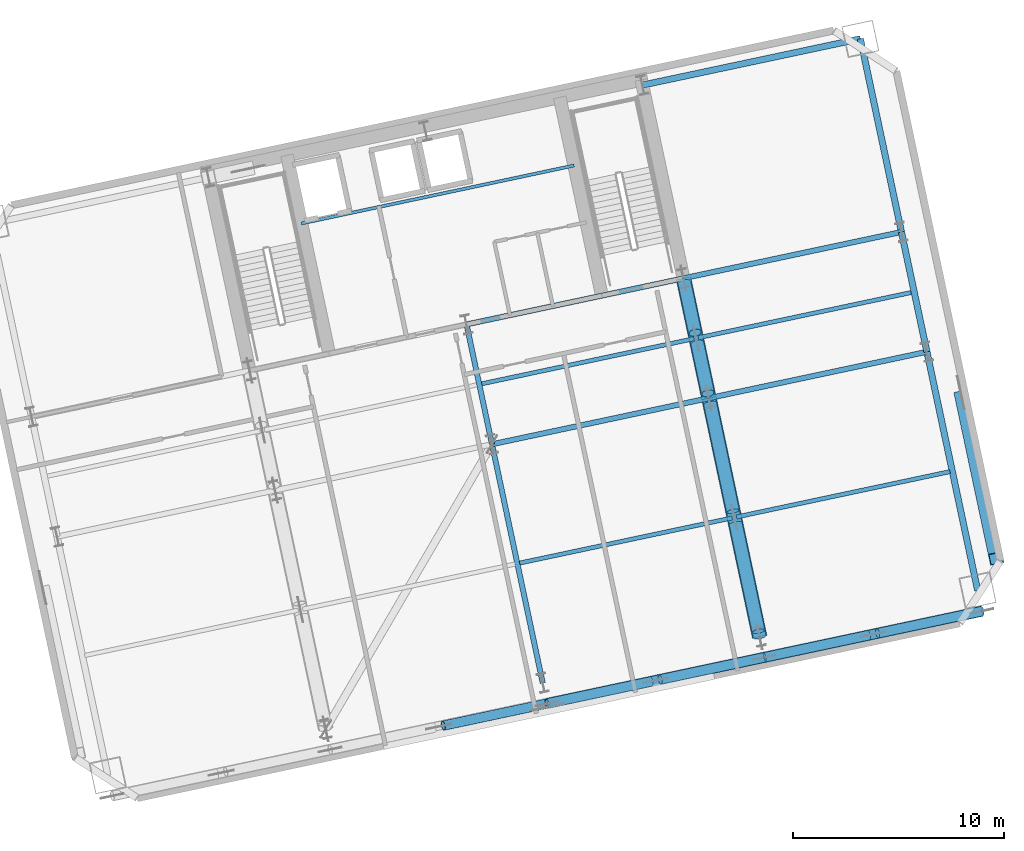
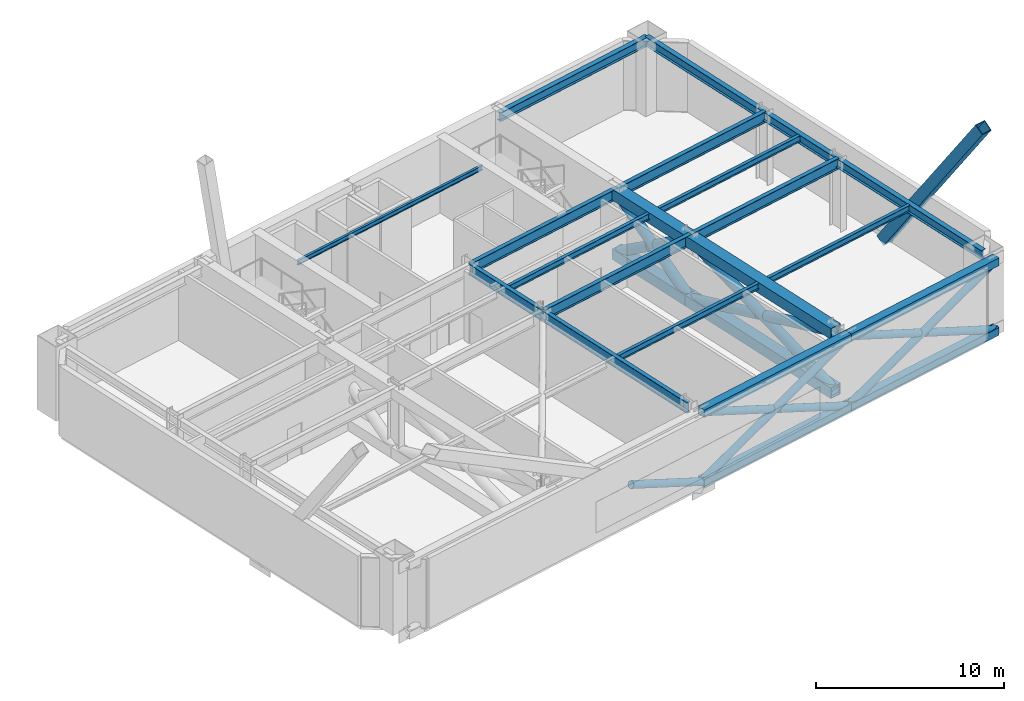
# One storey, part 5 of 17: 22 members, 15 beams.
"""IFC4 building model written with IfcOpenShell, lengths in metres."""

from ifc_helpers import new_model, si_unit, direction, frame, origin, origin_2d, place, context, subcontext, project, spatial, hollow_rectangle, hollow_circle, i_section, extrude, material, material_profile, profile_set, type_object, element, save


model = new_model("IFC4")

# Units and contexts
model_context = context("Model", 3, precision=1e-05, world=origin(), true_north=direction((0.0, 1.0)))
body_context = subcontext(model_context, "Body", "Model", "MODEL_VIEW")
ifc_project = project(units=[si_unit("LENGTHUNIT", "METRE"), si_unit("AREAUNIT", "SQUARE_METRE"), si_unit("VOLUMEUNIT", "CUBIC_METRE"), si_unit("PLANEANGLEUNIT", "RADIAN"), si_unit("MASSUNIT", "GRAM", prefix="KILO")], contexts=[model_context])

# Site, building, storey
site_placement = place(None, origin())
site = spatial("IfcSite", under=ifc_project, at=site_placement, CompositionType="ELEMENT")
building_placement = place(site_placement, origin())
building = spatial("IfcBuilding", under=site, at=building_placement, Name="Haevon Station Towers", CompositionType="ELEMENT")
storey_placement = place(building_placement, frame((0.0, 0.0, 81.89990234375)))
storey = spatial("IfcBuildingStorey", under=building, at=storey_placement, Name="L21", CompositionType="ELEMENT", Elevation=81.89990234375)

# Beams
ifc_material_1 = material(Name="Steel S355", Category="steel")
ifc_material_profile_1 = material_profile(ifc_material_1, i_section(OverallWidth=0.25, OverallDepth=0.699951171875, WebThickness=0.012939453125, FlangeThickness=0.02392578125, at=origin_2d()), Name="H-700x250x13x24")
ifc_profile_set_1 = profile_set([ifc_material_profile_1], Name="Steel S355")
beam_type_1 = type_object("IfcBeamType", Name="BM-G700", PredefinedType="BEAM", material=ifc_profile_set_1)
beam_1_placement = place(storey_placement, frame((110.228759765625, 33.9521484375, 4.2001953125), z_axis=(0.978146794194, 0.207915485254, 0.0), x_axis=(-0.207915485254, 0.978146794194, 0.0)))
element("IfcBeam", 1, at=beam_1_placement, inside=storey, type_object=beam_type_1, Name="BM-T2U-L21-02-03", PredefinedType="BEAM", context=body_context, shape_type="SweptSolid", body=[
    extrude(i_section(OverallWidth=0.25, OverallDepth=0.699951171875, WebThickness=0.012939453125, FlangeThickness=0.02392578125, at=origin_2d()), origin(), (0.0, 0.0, 1.0), 10.5),
])
beam_2_placement = place(storey_placement, frame((120.499267578125, 36.13525390625, 4.2001953125), z_axis=(0.978145498476, 0.207921580918, 0.0), x_axis=(-0.207921580918, 0.978145498476, 0.0)))
element("IfcBeam", 2, at=beam_2_placement, inside=storey, type_object=beam_type_1, Name="BM-T2U-L21-02-04", PredefinedType="BEAM", context=body_context, shape_type="SweptSolid", body=[
    extrude(i_section(OverallWidth=0.25, OverallDepth=0.699951171875, WebThickness=0.012939453125, FlangeThickness=0.02392578125, at=origin_2d()), origin(), (0.0, 0.0, 1.0), 10.550048828125),
])
beam_3_placement = place(storey_placement, frame((109.02294921875, 39.62548828125, 4.2001953125), z_axis=(0.978146794194, 0.207915485254, 0.0), x_axis=(-0.207915485254, 0.978146794194, 0.0)))
element("IfcBeam", 3, at=beam_3_placement, inside=storey, type_object=beam_type_1, Name="BM-T2U-L21-03-03", PredefinedType="BEAM", context=body_context, shape_type="SweptSolid", body=[
    extrude(i_section(OverallWidth=0.25, OverallDepth=0.699951171875, WebThickness=0.012939453125, FlangeThickness=0.02392578125, at=origin_2d()), origin(), (0.0, 0.0, 1.0), 10.5),
])
beam_4_placement = place(storey_placement, frame((119.29345703125, 41.80859375, 4.2001953125), z_axis=(0.978149204359, 0.207904146209, 0.0), x_axis=(-0.207904146209, 0.978149204359, 0.0)))
element("IfcBeam", 4, at=beam_4_placement, inside=storey, type_object=beam_type_1, Name="BM-T2U-L21-03-04", PredefinedType="BEAM", context=body_context, shape_type="SweptSolid", body=[
    extrude(i_section(OverallWidth=0.25, OverallDepth=0.699951171875, WebThickness=0.012939453125, FlangeThickness=0.02392578125, at=origin_2d()), origin(), (0.0, 0.0, 1.0), 10.5498046875),
])
beam_5_placement = place(storey_placement, frame((112.630126953125, 22.654541015625, 4.2001953125), z_axis=(-0.207910580697, 0.978147836697, 0.0), x_axis=(-0.978147836697, -0.207910580697, 0.0)))
element("IfcBeam", 5, at=beam_5_placement, inside=storey, type_object=beam_type_1, Name="BM-T2V-L21-03-01", PredefinedType="BEAM", context=body_context, shape_type="SweptSolid", body=[
    extrude(i_section(OverallWidth=0.25, OverallDepth=0.699951171875, WebThickness=0.012939453125, FlangeThickness=0.02392578125, at=origin_2d()), origin(), (0.0, 0.0, 1.0), 11.550048828125),
])
beam_6_placement = place(storey_placement, frame((110.228759765625, 33.9521484375, 4.2001953125), z_axis=(-0.207896009217, 0.97815093383, 0.0), x_axis=(-0.97815093383, -0.207896009217, 0.0)))
element("IfcBeam", 6, at=beam_6_placement, inside=storey, type_object=beam_type_1, Name="BM-T2V-L21-03-02", PredefinedType="BEAM", context=body_context, shape_type="SweptSolid", body=[
    extrude(i_section(OverallWidth=0.25, OverallDepth=0.699951171875, WebThickness=0.012939453125, FlangeThickness=0.02392578125, at=origin_2d()), origin(), (0.0, 0.0, 1.0), 5.800048828125),
])
ifc_material_profile_2 = material_profile(ifc_material_1, i_section(OverallWidth=0.199951171875, OverallDepth=0.39990234375, WebThickness=0.008056640625, FlangeThickness=0.012939453125, at=origin_2d()), Name="H-400x200x8x13")
ifc_profile_set_2 = profile_set([ifc_material_profile_2], Name="Steel S355")
beam_type_2 = type_object("IfcBeamType", Name="BM-J400", PredefinedType="JOIST", material=ifc_profile_set_2)
beam_7_placement = place(storey_placement, frame((111.537109375, 28.326416015625, 4.35009765625), z_axis=(0.978150339653, 0.207898804801, 0.0), x_axis=(-0.207898804801, 0.978150339653, 0.0)))
element("IfcBeam", 7, at=beam_7_placement, inside=storey, type_object=beam_type_2, Name="BM-T2J-L21-01-03", PredefinedType="JOIST", context=body_context, shape_type="SweptSolid", body=[
    extrude(i_section(OverallWidth=0.199951171875, OverallDepth=0.39990234375, WebThickness=0.008056640625, FlangeThickness=0.012939453125, at=origin_2d()), origin(), (0.0, 0.0, 1.0), 10.280029296875),
])
beam_8_placement = place(storey_placement, frame((121.8076171875, 30.50927734375, 4.35009765625), z_axis=(0.978147977643, 0.207909917591, 0.0), x_axis=(-0.207909917591, 0.978147977643, 0.0)))
element("IfcBeam", 8, at=beam_8_placement, inside=storey, type_object=beam_type_2, Name="BM-T2J-L21-01-04", PredefinedType="JOIST", context=body_context, shape_type="SweptSolid", body=[
    extrude(i_section(OverallWidth=0.199951171875, OverallDepth=0.39990234375, WebThickness=0.008056640625, FlangeThickness=0.012939453125, at=origin_2d()), origin(), (0.0, 0.0, 1.0), 10.330078125),
])
beam_9_placement = place(storey_placement, frame((109.7333984375, 36.811767578125, 4.35009765625), z_axis=(0.978150339653, 0.207898804801, 0.0), x_axis=(-0.207898804801, 0.978150339653, 0.0)))
element("IfcBeam", 9, at=beam_9_placement, inside=storey, type_object=beam_type_2, Name="BM-T2J-L21-02-03", PredefinedType="JOIST", context=body_context, shape_type="SweptSolid", body=[
    extrude(i_section(OverallWidth=0.199951171875, OverallDepth=0.39990234375, WebThickness=0.008056640625, FlangeThickness=0.012939453125, at=origin_2d()), origin(), (0.0, 0.0, 1.0), 10.280029296875),
])
beam_10_placement = place(storey_placement, frame((120.00390625, 38.994873046875, 4.35009765625), z_axis=(0.978147977643, 0.207909917591, 0.0), x_axis=(-0.207909917591, 0.978147977643, 0.0)))
element("IfcBeam", 10, at=beam_10_placement, inside=storey, type_object=beam_type_2, Name="BM-T2J-L21-02-04", PredefinedType="JOIST", context=body_context, shape_type="SweptSolid", body=[
    extrude(i_section(OverallWidth=0.199951171875, OverallDepth=0.39990234375, WebThickness=0.008056640625, FlangeThickness=0.012939453125, at=origin_2d()), origin(), (0.0, 0.0, 1.0), 10.330078125),
])
ifc_material_profile_3 = material_profile(ifc_material_1, i_section(OverallWidth=0.14990234375, OverallDepth=0.300048828125, WebThickness=0.006591796875, FlangeThickness=0.009033203125, at=origin_2d()), Name="H-300x150x6.5x9")
ifc_profile_set_3 = profile_set([ifc_material_profile_3], Name="Steel S355")
beam_type_3 = type_object("IfcBeamType", Name="BM-LIN300", PredefinedType="LINTEL", material=ifc_profile_set_3)
beam_11_placement = place(storey_placement, frame((101.20849609375, 44.4052734375, 4.400146484375), z_axis=(0.978147802964, 0.207910739399, 0.0), x_axis=(-0.207910739399, 0.978147802964, 0.0)))
element("IfcBeam", 11, at=beam_11_placement, inside=storey, type_object=beam_type_3, Name="BM-T2LIN-L21", PredefinedType="LINTEL", context=body_context, shape_type="SweptSolid", body=[
    extrude(i_section(OverallWidth=0.14990234375, OverallDepth=0.300048828125, WebThickness=0.006591796875, FlangeThickness=0.009033203125, at=origin_2d()), origin(), (0.0, 0.0, 1.0), 13.19970703125),
])
ifc_material_profile_4 = material_profile(ifc_material_1, i_section(OverallWidth=0.300048828125, OverallDepth=0.587890625, WebThickness=0.011962890625, FlangeThickness=0.02001953125, at=origin_2d()), Name="H-588x300x12x20")
ifc_profile_set_4 = profile_set([ifc_material_profile_4], Name="Steel S355")
beam_type_4 = type_object("IfcBeamType", Name="BM-SP588", PredefinedType="SPANDREL", material=ifc_profile_set_4)
beam_12_placement = place(storey_placement, frame((117.349365234375, 50.954345703125, 4.256103515625), z_axis=(0.978150204601, 0.207899440208, 0.0), x_axis=(-0.207899440208, 0.978150204601, 0.0)))
element("IfcBeam", 12, at=beam_12_placement, inside=storey, type_object=beam_type_4, Name="BM-T2U-L21-04-04", PredefinedType="SPANDREL", context=body_context, shape_type="SweptSolid", body=[
    extrude(i_section(OverallWidth=0.300048828125, OverallDepth=0.587890625, WebThickness=0.011962890625, FlangeThickness=0.02001953125, at=origin_2d()), origin(), (0.0, 0.0, 1.0), 10.550048828125),
])
beam_13_placement = place(storey_placement, frame((133.22021484375, 27.03125, 4.256103515625), z_axis=(-0.207910580697, 0.978147836697, 0.0), x_axis=(-0.978147836697, -0.207910580697, 0.0)))
element("IfcBeam", 13, at=beam_13_placement, inside=storey, type_object=beam_type_4, Name="BM-T2V-L21-05-01", PredefinedType="SPANDREL", context=body_context, shape_type="SweptSolid", body=[
    extrude(i_section(OverallWidth=0.300048828125, OverallDepth=0.587890625, WebThickness=0.011962890625, FlangeThickness=0.02001953125, at=origin_2d()), origin(), (0.0, 0.0, 1.0), 11.550048828125),
])
beam_14_placement = place(storey_placement, frame((130.81884765625, 38.328857421875, 4.256103515625), z_axis=(-0.207944843707, 0.978140553282, 0.0), x_axis=(-0.978140553282, -0.207944843707, 0.0)))
element("IfcBeam", 14, at=beam_14_placement, inside=storey, type_object=beam_type_4, Name="BM-T2V-L21-05-02", PredefinedType="SPANDREL", context=body_context, shape_type="SweptSolid", body=[
    extrude(i_section(OverallWidth=0.300048828125, OverallDepth=0.587890625, WebThickness=0.011962890625, FlangeThickness=0.02001953125, at=origin_2d()), origin(), (0.0, 0.0, 1.0), 5.7998046875),
])
beam_15_placement = place(storey_placement, frame((129.61279296875, 44.001953125, 4.256103515625), z_axis=(-0.207897167074, 0.978150687738, 0.0), x_axis=(-0.978150687738, -0.207897167074, 0.0)))
element("IfcBeam", 15, at=beam_15_placement, inside=storey, type_object=beam_type_4, Name="BM-T2V-L21-05-03", PredefinedType="SPANDREL", context=body_context, shape_type="SweptSolid", body=[
    extrude(i_section(OverallWidth=0.300048828125, OverallDepth=0.587890625, WebThickness=0.011962890625, FlangeThickness=0.02001953125, at=origin_2d()), origin(), (0.0, 0.0, 1.0), 9.35009765625),
])

# Members
ifc_material_2 = material(Name="Steel S460", Category="steel")
ifc_material_profile_5 = material_profile(ifc_material_2, hollow_circle(Radius=0.228515625, WallThickness=0.02001953125, at=origin_2d()), Name="CHS-457x20")
ifc_profile_set_5 = profile_set([ifc_material_profile_5], Name="Steel S460")
member_type_1 = type_object("IfcMemberType", Name="BRBLT-457", PredefinedType="BRACE", material=ifc_profile_set_5)
member_1_placement = place(storey_placement, frame((107.9189453125, 20.630859375, 2.080078125), z_axis=(0.898760781048, 0.191046326132, -0.394626861379), x_axis=(-0.207920879857, 0.978145647498, 0.0)))
element("IfcMember", 16, at=member_1_placement, inside=storey, type_object=member_type_1, Name="Tower 2 L21 Belt Truss Split Counter Diagonal Upper", PredefinedType="BRACE", context=body_context, shape_type="SweptSolid", body=[
    extrude(hollow_circle(Radius=0.228515625, WallThickness=0.02001953125, at=origin_2d()), origin(), (0.0, 0.0, 1.0), 5.473388671875),
])
member_2_placement = place(storey_placement, frame((112.838134765625, 21.676513671875, -0.079833984375), z_axis=(0.898747800325, 0.191038386196, 0.394660267077), x_axis=(-0.207915485254, 0.978146794194, 0.0)))
element("IfcMember", 17, at=member_2_placement, inside=storey, type_object=member_type_1, Name="Tower 2 L21 Belt Truss Continuous Diagonal", PredefinedType="BRACE", context=body_context, shape_type="SweptSolid", body=[
    extrude(hollow_circle(Radius=0.228515625, WallThickness=0.02001953125, at=origin_2d()), origin(), (0.0, 0.0, 1.0), 11.427490234375),
])
for number, where, z_axis, x_axis, name in (
    (18, (112.838134765625, 21.676513671875, 4.43017578125), (0.898744960029, 0.191042963115, -0.394664519645), (-0.207920879857, 0.978145647498, 0.0), "Tower 2 L21 Belt Truss Split Counter Diagonal Lower"),
    (19, (118.189453125, 22.81396484375, 2.080078125), (0.898760781048, 0.191046326132, -0.394626861379), (-0.207920879857, 0.978145647498, 0.0), "Tower 2 L21 Belt Truss Split Counter Diagonal Upper"),
):
    element("IfcMember", number, at=place(storey_placement, frame(where, z_axis=z_axis, x_axis=x_axis)), inside=storey, type_object=member_type_1, Name=name, PredefinedType="BRACE", context=body_context, shape_type="SweptSolid", body=[
        extrude(hollow_circle(Radius=0.228515625, WallThickness=0.02001953125, at=origin_2d()), origin(), (0.0, 0.0, 1.0), 5.473388671875),
    ])
member_3_placement = place(storey_placement, frame((123.108642578125, 23.859619140625, -0.079833984375), z_axis=(0.899411210156, 0.191168503644, 0.393082788048), x_axis=(-0.207904146209, 0.978149204359, 0.0)))
element("IfcMember", 20, at=member_3_placement, inside=storey, type_object=member_type_1, Name="Tower 2 L21 Belt Truss Continuous Diagonal", PredefinedType="BRACE", context=body_context, shape_type="SweptSolid", body=[
    extrude(hollow_circle(Radius=0.228515625, WallThickness=0.02001953125, at=origin_2d()), origin(), (0.0, 0.0, 1.0), 11.473388671875),
])
member_4_placement = place(storey_placement, frame((123.108642578125, 23.859619140625, 4.43017578125), z_axis=(0.899397450903, 0.191179703116, -0.393108822624), x_axis=(-0.20791884287, 0.978146080491, 0.0)))
element("IfcMember", 21, at=member_4_placement, inside=storey, type_object=member_type_1, Name="Tower 2 L21 Belt Truss Split Counter Diagonal Lower", PredefinedType="BRACE", context=body_context, shape_type="SweptSolid", body=[
    extrude(hollow_circle(Radius=0.228515625, WallThickness=0.02001953125, at=origin_2d()), origin(), (0.0, 0.0, 1.0), 5.496337890625),
])
member_5_placement = place(storey_placement, frame((128.484619140625, 25.002197265625, 2.08056640625), z_axis=(0.899413155284, 0.191183041305, -0.393071266846), x_axis=(-0.20791884287, 0.978146080491, 0.0)))
element("IfcMember", 22, at=member_5_placement, inside=storey, type_object=member_type_1, Name="Tower 2 L21 Belt Truss Split Counter Diagonal Upper", PredefinedType="BRACE", context=body_context, shape_type="SweptSolid", body=[
    extrude(hollow_circle(Radius=0.228515625, WallThickness=0.02001953125, at=origin_2d()), origin(), (0.0, 0.0, 1.0), 5.49609375),
])
ifc_material_profile_6 = material_profile(ifc_material_2, hollow_circle(Radius=0.3046875, WallThickness=0.02490234375, at=origin_2d()), Name="CHS-609.6x25")
ifc_profile_set_6 = profile_set([ifc_material_profile_6], Name="Steel S460")
member_type_2 = type_object("IfcMemberType", Name="BROUT-610", PredefinedType="BRACE", material=ifc_profile_set_6)
member_6_placement = place(storey_placement, frame((122.900634765625, 24.837646484375, 0.35009765625), z_axis=(-0.197240794922, 0.927950161146, 0.316234987386), x_axis=(-0.978147836697, -0.207910580697, 0.0)))
element("IfcMember", 23, at=member_6_placement, inside=storey, type_object=member_type_2, Name="Tower 2 L21 Outrigger Truss Continuous Web Brace", PredefinedType="BRACE", context=body_context, shape_type="SweptSolid", body=[
    extrude(hollow_circle(Radius=0.3046875, WallThickness=0.02490234375, at=origin_2d()), origin(), (0.0, 0.0, 1.0), 12.1748046875),
])
member_7_placement = place(storey_placement, frame((122.845458984375, 25.097412109375, 4.111572265625), z_axis=(-0.197248347224, 0.927947646128, -0.316237656776), x_axis=(-0.978146103088, -0.207918736561, 0.0)))
element("IfcMember", 24, at=member_7_placement, inside=storey, type_object=member_type_2, Name="Tower 2 L21 Outrigger Truss Split Counter Brace Lower", PredefinedType="BRACE", context=body_context, shape_type="SweptSolid", body=[
    extrude(hollow_circle(Radius=0.3046875, WallThickness=0.02490234375, at=origin_2d()), origin(), (0.0, 0.0, 1.0), 5.490478515625),
])
member_8_placement = place(storey_placement, frame((121.637451171875, 30.78076171875, 2.1748046875), z_axis=(-0.197216522052, 0.927962656637, -0.31621345847), x_axis=(-0.978153608974, -0.207883422264, 0.0)))
element("IfcMember", 25, at=member_8_placement, inside=storey, type_object=member_type_2, Name="Tower 2 L21 Outrigger Truss Split Counter Brace Upper", PredefinedType="BRACE", context=body_context, shape_type="SweptSolid", body=[
    extrude(hollow_circle(Radius=0.3046875, WallThickness=0.02490234375, at=origin_2d()), origin(), (0.0, 0.0, 1.0), 5.490234375),
])
member_9_placement = place(storey_placement, frame((120.499267578125, 36.13525390625, 0.35009765625), z_axis=(-0.173208570885, 0.81494650136, 0.553047006044), x_axis=(-0.97815093383, -0.207896009217, 0.0)))
element("IfcMember", 26, at=member_9_placement, inside=storey, type_object=member_type_2, Name="Tower 2 L21 Outrigger Truss Continuous Web Brace", PredefinedType="BRACE", context=body_context, shape_type="SweptSolid", body=[
    extrude(hollow_circle(Radius=0.3046875, WallThickness=0.02490234375, at=origin_2d()), origin(), (0.0, 0.0, 1.0), 6.961669921875),
])
for number, where, z_axis, x_axis, name in (
    (27, (120.450927734375, 36.363525390625, 4.045166015625), (-0.173220092296, 0.814964129247, -0.553017420761), (-0.978149036179, -0.207904937463, 0.0), "Tower 2 L21 Outrigger Truss Split Counter Brace Lower"),
    (28, (119.841552734375, 39.230224609375, 2.099853515625), (-0.173211982079, 0.814925972383, -0.553076187157), (-0.978149036179, -0.207904937463, 0.0), "Tower 2 L21 Outrigger Truss Split Counter Brace Upper"),
):
    element("IfcMember", number, at=place(storey_placement, frame(where, z_axis=z_axis, x_axis=x_axis)), inside=storey, type_object=member_type_2, Name=name, PredefinedType="BRACE", context=body_context, shape_type="SweptSolid", body=[
        extrude(hollow_circle(Radius=0.3046875, WallThickness=0.02490234375, at=origin_2d()), origin(), (0.0, 0.0, 1.0), 2.8837890625),
    ])
ifc_material_profile_7 = material_profile(ifc_material_2, hollow_rectangle(XDim=0.5, YDim=0.5, WallThickness=0.02490234375, at=origin_2d()), Name="RHS-500x500x25")
ifc_profile_set_7 = profile_set([ifc_material_profile_7], Name="Steel S460")
member_type_3 = type_object("IfcMemberType", Name="CHBLT-500", PredefinedType="CHORD", material=ifc_profile_set_7)
for number, where, z_axis, x_axis, name in (
    (29, (112.838134765625, 21.676513671875, -0.079833984375), (0.978146794194, 0.207915485254, 0.0), (-0.207915485254, 0.978146794194, 0.0), "Tower 2 L21 Belt Truss Bottom Chord"),
    (30, (112.838134765625, 21.676513671875, 4.43017578125), (0.978146794194, 0.207915485254, 0.0), (-0.207915485254, 0.978146794194, 0.0), "Tower 2 L21 Belt Truss Top Chord"),
):
    element("IfcMember", number, at=place(storey_placement, frame(where, z_axis=z_axis, x_axis=x_axis)), inside=storey, type_object=member_type_3, Name=name, PredefinedType="CHORD", context=body_context, shape_type="SweptSolid", body=[
        extrude(hollow_rectangle(XDim=0.5, YDim=0.5, WallThickness=0.02490234375, at=origin_2d()), origin(), (0.0, 0.0, 1.0), 10.5),
    ])
for number, where, z_axis, x_axis, name in (
    (31, (123.108642578125, 23.859619140625, -0.079833984375), (0.978149204359, 0.207904146209, 0.0), (-0.207904146209, 0.978149204359, 0.0), "Tower 2 L21 Belt Truss Bottom Chord"),
    (32, (123.108642578125, 23.859619140625, 4.43017578125), (0.978149204359, 0.207904146209, 0.0), (-0.207904146209, 0.978149204359, 0.0), "Tower 2 L21 Belt Truss Top Chord"),
):
    element("IfcMember", number, at=place(storey_placement, frame(where, z_axis=z_axis, x_axis=x_axis)), inside=storey, type_object=member_type_3, Name=name, PredefinedType="CHORD", context=body_context, shape_type="SweptSolid", body=[
        extrude(hollow_rectangle(XDim=0.5, YDim=0.5, WallThickness=0.02490234375, at=origin_2d()), origin(), (0.0, 0.0, 1.0), 10.5498046875),
    ])
ifc_material_profile_8 = material_profile(ifc_material_2, hollow_rectangle(XDim=0.699951171875, YDim=0.699951171875, WallThickness=0.034912109375, at=origin_2d()), Name="RHS-700x700x35")
ifc_profile_set_8 = profile_set([ifc_material_profile_8], Name="Steel S460")
member_type_4 = type_object("IfcMemberType", Name="CHOUT-700", PredefinedType="CHORD", material=ifc_profile_set_8)
for number, where, z_axis, x_axis, name in (
    (33, (122.900634765625, 24.837646484375, 0.35009765625), (-0.207910580697, 0.978147836697, 0.0), (-0.978147836697, -0.207910580697, 0.0), "Tower 2 L21 Outrigger Truss Bottom Chord"),
    (34, (122.900634765625, 24.837646484375, 4.2001953125), (-0.207910580697, 0.978147836697, 0.0), (-0.978147836697, -0.207910580697, 0.0), "Tower 2 L21 Outrigger Truss Top Chord"),
):
    element("IfcMember", number, at=place(storey_placement, frame(where, z_axis=z_axis, x_axis=x_axis)), inside=storey, type_object=member_type_4, Name=name, PredefinedType="CHORD", context=body_context, shape_type="SweptSolid", body=[
        extrude(hollow_rectangle(XDim=0.699951171875, YDim=0.699951171875, WallThickness=0.034912109375, at=origin_2d()), origin(), (0.0, 0.0, 1.0), 11.550048828125),
    ])
for number, where, z_axis, x_axis, name in (
    (35, (120.499267578125, 36.13525390625, 0.35009765625), (-0.207896009217, 0.97815093383, 0.0), (-0.97815093383, -0.207896009217, 0.0), "Tower 2 L21 Outrigger Truss Bottom Chord"),
    (36, (120.499267578125, 36.13525390625, 4.2001953125), (-0.207896009217, 0.97815093383, 0.0), (-0.97815093383, -0.207896009217, 0.0), "Tower 2 L21 Outrigger Truss Top Chord"),
):
    element("IfcMember", number, at=place(storey_placement, frame(where, z_axis=z_axis, x_axis=x_axis)), inside=storey, type_object=member_type_4, Name=name, PredefinedType="CHORD", context=body_context, shape_type="SweptSolid", body=[
        extrude(hollow_rectangle(XDim=0.699951171875, YDim=0.699951171875, WallThickness=0.034912109375, at=origin_2d()), origin(), (0.0, 0.0, 1.0), 5.800048828125),
    ])
ifc_material_profile_9 = material_profile(ifc_material_2, hollow_rectangle(XDim=0.64990234375, YDim=0.64990234375, WallThickness=0.031982421875, at=origin_2d()), Name="RHS-650x650x32")
ifc_profile_set_9 = profile_set([ifc_material_profile_9], Name="Steel S460")
member_type_5 = type_object("IfcMemberType", Name="MB-650", PredefinedType="BRACE", material=ifc_profile_set_9)
member_10_placement = place(storey_placement, frame((132.4658203125, 36.207275390625, -0.00830078125), z_axis=(0.118733714027, -0.558618092937, 0.820882532033), x_axis=(0.978149105981, 0.207904609059, 0.0)))
element("IfcMember", 37, at=member_10_placement, inside=storey, type_object=member_type_5, Name="BR-T2MB-T02-E-D2B", PredefinedType="BRACE", context=body_context, shape_type="SweptSolid", body=[
    extrude(hollow_rectangle(XDim=0.64990234375, YDim=0.64990234375, WallThickness=0.031982421875, at=origin_2d()), origin(), (0.0, 0.0, 1.0), 13.71484375),
])

save(model, "model.ifc")
